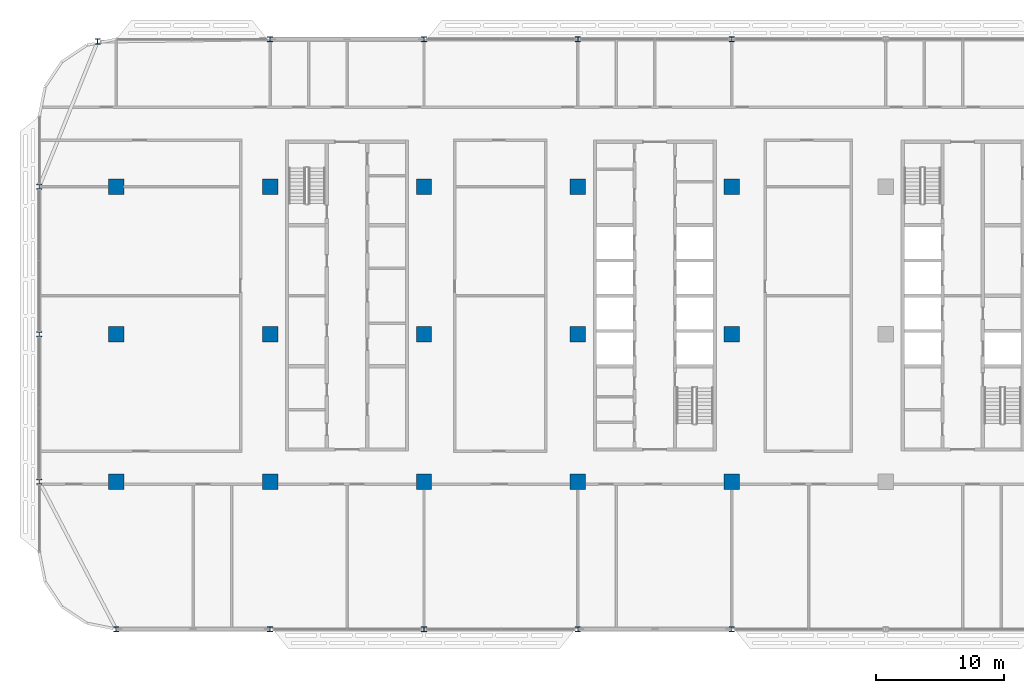
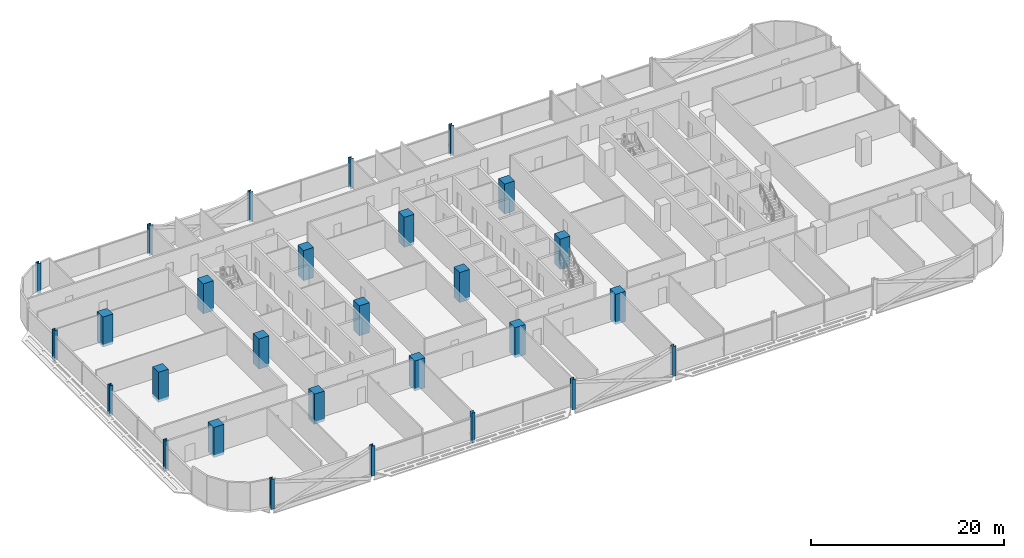
# One storey, part 1 of 27: 28 columns.
"""IFC4 building model written with IfcOpenShell, lengths in metres."""

from ifc_helpers import new_model, si_unit, direction, frame, origin, origin_2d, place, context, subcontext, project, spatial, rectangle, i_section, extrude, material, material_profile, profile_set, type_object, element, save


model = new_model("IFC4")

# Units and contexts
model_context = context("Model", 3, precision=1e-05, world=origin(), true_north=direction((0.0, 1.0)))
body_context = subcontext(model_context, "Body", "Model", "MODEL_VIEW")
ifc_project = project(units=[si_unit("LENGTHUNIT", "METRE"), si_unit("AREAUNIT", "SQUARE_METRE"), si_unit("VOLUMEUNIT", "CUBIC_METRE"), si_unit("PLANEANGLEUNIT", "RADIAN"), si_unit("MASSUNIT", "GRAM", prefix="KILO")], contexts=[model_context])

# Site, building, storey
site_placement = place(None, origin())
site = spatial("IfcSite", under=ifc_project, at=site_placement, CompositionType="ELEMENT")
building_placement = place(site_placement, origin())
building = spatial("IfcBuilding", under=site, at=building_placement, Name="Mahtab Terrace Research Tower", CompositionType="ELEMENT")
storey_placement = place(building_placement, frame((0.0, 0.0, 166.800048828125)))
storey = spatial("IfcBuildingStorey", under=building, at=storey_placement, Name="L39", CompositionType="ELEMENT", Elevation=166.800048828125)

# Columns
ifc_material_1 = material(Name="Concrete C70/85", Category="concrete")
ifc_material_profile_1 = material_profile(ifc_material_1, rectangle(XDim=1.199951171875, YDim=1.199951171875, at=origin_2d()), Name="RC column 1200x1200")
ifc_profile_set_1 = profile_set([ifc_material_profile_1], Name="Concrete C70/85")
column_type_1 = type_object("IfcColumnType", Name="RC column 1200x1200", PredefinedType="COLUMN", material=ifc_profile_set_1)
for number, where, z_axis, x_axis, name in (
    (1, (-42.0, -11.5, -0.340087890625), (0.0, 0.0, 1.0), (1.0, 0.0, 0.0), "Column RC-1A L39"),
    (2, (-42.0, 0.0, -0.340087890625), (0.0, 0.0, 1.0), (1.0, 0.0, 0.0), "Column RC-1B L39"),
    (3, (-42.0, 11.5, -0.340087890625), (0.0, 0.0, 1.0), (1.0, 0.0, 0.0), "Column RC-1C L39"),
    (4, (-30.0, -11.5, -0.340087890625), (0.0, 0.0, 1.0), (1.0, 0.0, 0.0), "Column RC-2A L39"),
    (5, (-30.0, 0.0, -0.340087890625), (0.0, 0.0, 1.0), (1.0, 0.0, 0.0), "Column RC-2B L39"),
    (6, (-30.0, 11.5, -0.340087890625), (0.0, 0.0, 1.0), (1.0, 0.0, 0.0), "Column RC-2C L39"),
    (7, (-18.0, -11.5, -0.340087890625), (0.0, 0.0, 1.0), (1.0, 0.0, 0.0), "Column RC-3A L39"),
    (8, (-18.0, 0.0, -0.340087890625), (0.0, 0.0, 1.0), (1.0, 0.0, 0.0), "Column RC-3B L39"),
    (9, (-18.0, 11.5, -0.340087890625), (0.0, 0.0, 1.0), (1.0, 0.0, 0.0), "Column RC-3C L39"),
    (10, (-6.0, -11.5, -0.340087890625), (0.0, 0.0, 1.0), (1.0, 0.0, 0.0), "Column RC-4A L39"),
    (11, (-6.0, 0.0, -0.340087890625), (0.0, 0.0, 1.0), (1.0, 0.0, 0.0), "Column RC-4B L39"),
    (12, (-6.0, 11.5, -0.340087890625), (0.0, 0.0, 1.0), (1.0, 0.0, 0.0), "Column RC-4C L39"),
    (13, (6.0, -11.5, -0.340087890625), (0.0, 0.0, 1.0), (1.0, 0.0, 0.0), "Column RC-5A L39"),
    (14, (6.0, 0.0, -0.340087890625), (0.0, 0.0, 1.0), (1.0, 0.0, 0.0), "Column RC-5B L39"),
    (15, (6.0, 11.5, -0.340087890625), (0.0, 0.0, 1.0), (1.0, 0.0, 0.0), "Column RC-5C L39"),
):
    element("IfcColumn", number, at=place(storey_placement, frame(where, z_axis=z_axis, x_axis=x_axis)), inside=storey, type_object=column_type_1, Name=name, PredefinedType="COLUMN", context=body_context, shape_type="SweptSolid", body=[
        extrude(rectangle(XDim=1.199951171875, YDim=1.199951171875, at=origin_2d()), origin(), (0.0, 0.0, 1.0), 3.800048828125),
    ])
ifc_material_2 = material(Name="Steel ASTM A992 Gr 50", Category="steel")
ifc_material_profile_2 = material_profile(ifc_material_2, i_section(OverallWidth=0.406494140625, OverallDepth=0.41650390625, WebThickness=0.030029296875, FlangeThickness=0.048095703125, at=origin_2d()), Name="W14X257")
ifc_profile_set_2 = profile_set([ifc_material_profile_2], Name="Steel ASTM A992 Gr 50")
column_type_2 = type_object("IfcColumnType", Name="W14x257 column CS14257", PredefinedType="COLUMN", material=ifc_profile_set_2)
for number, where, z_axis, x_axis, name in (
    (16, (6.0, 23.0, -0.340087890625), (0.0, 0.0, 1.0), (1.0, 0.0, 0.0), "Column SC-004 L39"),
    (17, (-6.0, 23.0, -0.340087890625), (0.0, 0.0, 1.0), (1.0, 0.0, 0.0), "Column SC-005 L39"),
    (18, (-18.0, 23.0, -0.340087890625), (0.0, 0.0, 1.0), (1.0, 0.0, 0.0), "Column SC-006 L39"),
    (19, (-30.0, 23.0, -0.340087890625), (0.0, 0.0, 1.0), (1.0, 0.0, 0.0), "Column SC-007 L39"),
    (20, (-43.447998046875, 22.822021484375, -0.340087890625), (0.0, 0.0, 1.0), (1.0, 0.0, 0.0), "Column SC-051 L39"),
    (21, (-48.0, 11.5, -0.340087890625), (0.0, 0.0, 1.0), (1.0, 0.0, 0.0), "Column SC-009 L39"),
    (22, (-48.0, 0.0, -0.340087890625), (0.0, 0.0, 1.0), (1.0, 0.0, 0.0), "Column SC-010 L39"),
    (23, (-48.0, -11.5, -0.340087890625), (0.0, 0.0, 1.0), (1.0, 0.0, 0.0), "Column SC-011 L39"),
    (24, (-42.0, -23.0, -0.340087890625), (0.0, 0.0, 1.0), (1.0, 0.0, 0.0), "Column SC-012 L39"),
    (25, (-30.0, -23.0, -0.340087890625), (0.0, 0.0, 1.0), (1.0, 0.0, 0.0), "Column SC-013 L39"),
    (26, (-18.0, -23.0, -0.340087890625), (0.0, 0.0, 1.0), (1.0, 0.0, 0.0), "Column SC-014 L39"),
    (27, (-6.0, -23.0, -0.340087890625), (0.0, 0.0, 1.0), (1.0, 0.0, 0.0), "Column SC-015 L39"),
    (28, (6.0, -23.0, -0.340087890625), (0.0, 0.0, 1.0), (1.0, 0.0, 0.0), "Column SC-016 L39"),
):
    element("IfcColumn", number, at=place(storey_placement, frame(where, z_axis=z_axis, x_axis=x_axis)), inside=storey, type_object=column_type_2, Name=name, PredefinedType="COLUMN", context=body_context, shape_type="SweptSolid", body=[
        extrude(i_section(OverallWidth=0.406494140625, OverallDepth=0.41650390625, WebThickness=0.030029296875, FlangeThickness=0.048095703125, at=origin_2d()), origin(), (0.0, 0.0, 1.0), 3.800048828125),
    ])

save(model, "model.ifc")
